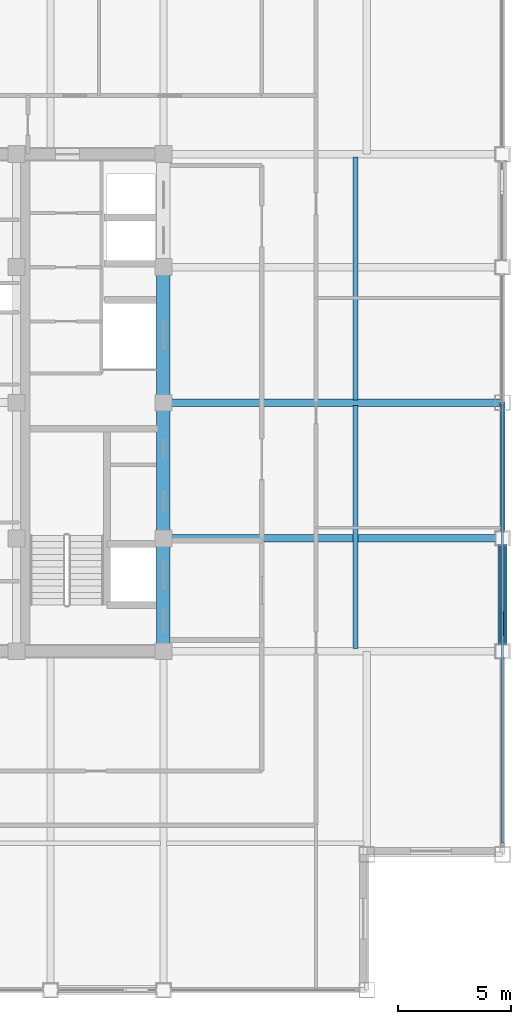
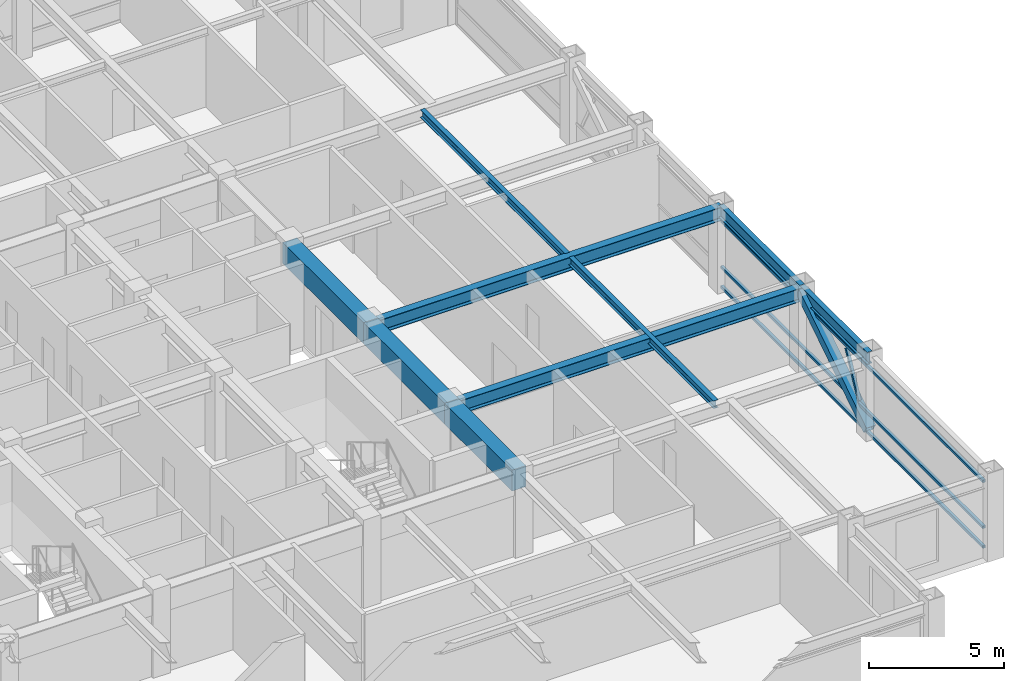
# One storey, part 11 of 29: 9 beams, 5 members, 1 element without a shape of its own.
"""IFC4 building model written with IfcOpenShell, lengths in metres."""

from ifc_helpers import new_model, si_unit, direction, frame, origin, origin_2d, place, context, subcontext, project, spatial, rectangle, hollow_rectangle, i_section, extrude, source, transform, mapped, material, material_profile, profile_set, type_object, element, aggregate, save


model = new_model("IFC4")

# Units and contexts
model_context = context("Model", 3, precision=1e-05, world=origin(), true_north=direction((0.0, 1.0)))
body_context = subcontext(model_context, "Body", "Model", "MODEL_VIEW")
ifc_project = project(units=[si_unit("LENGTHUNIT", "METRE"), si_unit("AREAUNIT", "SQUARE_METRE"), si_unit("VOLUMEUNIT", "CUBIC_METRE"), si_unit("PLANEANGLEUNIT", "RADIAN"), si_unit("MASSUNIT", "GRAM", prefix="KILO")], contexts=[model_context])

# Site, building, storey
site_placement = place(None, origin())
site = spatial("IfcSite", under=ifc_project, at=site_placement, CompositionType="ELEMENT")
building_placement = place(site_placement, origin())
building = spatial("IfcBuilding", under=site, at=building_placement, Name="Khorayat Bourse Tower", CompositionType="ELEMENT")
storey_placement = place(building_placement, frame((0.0, 0.0, 362.300048828125)))
storey = spatial("IfcBuildingStorey", under=building, at=storey_placement, Name="L86", CompositionType="ELEMENT", Elevation=362.300048828125)

# Beams
ifc_material_1 = material(Name="Concrete C60/75", Category="concrete")
ifc_material_profile_1 = material_profile(ifc_material_1, rectangle(XDim=0.60009765625, YDim=0.949951171875, at=origin_2d()), Name="RC 600x950")
ifc_profile_set_1 = profile_set([ifc_material_profile_1], Name="Concrete C60/75")
beam_type_1 = type_object("IfcBeamType", Name="BM-COUP-950", PredefinedType="BEAM", material=ifc_profile_set_1)
shared_shape_1 = source(origin(), body_context, "Body", "SweptSolid", [
    extrude(rectangle(XDim=0.60009765625, YDim=0.949951171875, at=origin_2d()), origin(), (0.0, 0.0, 1.0), 5.0),
])
beam_1_placement = place(storey_placement, frame((11.0, -11.0, 3.264892578125), z_axis=(0.0, 1.0, 0.0), x_axis=(-1.0, 0.0, 0.0)))
element("IfcBeam", 1, at=beam_1_placement, inside=storey, type_object=beam_type_1, Name="L86 BM-COUP-950 BM-L86-CRX-13", PredefinedType="BEAM", context=body_context, shape_type="MappedRepresentation", body=[
    mapped(shared_shape_1, transform((0.0, 0.0, 0.0), scale=1.0)),
])
shared_shape_2 = source(origin(), body_context, "Body", "SweptSolid", [
    extrude(rectangle(XDim=0.60009765625, YDim=0.949951171875, at=origin_2d()), origin(), (0.0, 0.0, 1.0), 6.0),
])
for number, where, z_axis, x_axis, name in (
    (2, (11.0, -6.0, 3.264892578125), (0.0, 1.0, 0.0), (-1.0, 0.0, 0.0), "L86 BM-COUP-950 BM-L86-CRX-14"),
    (3, (11.0, 0.0, 3.264892578125), (0.0, 1.0, 0.0), (-1.0, 0.0, 0.0), "L86 BM-COUP-950 BM-L86-CRX-15"),
):
    element("IfcBeam", number, at=place(storey_placement, frame(where, z_axis=z_axis, x_axis=x_axis)), inside=storey, type_object=beam_type_1, Name=name, PredefinedType="BEAM", context=body_context, shape_type="MappedRepresentation", body=[
        mapped(shared_shape_2, transform((0.0, 0.0, 0.0), scale=1.0)),
    ])
ifc_material_2 = material(Name="Steel ASTM A992 Grade 50", Category="steel")
ifc_material_profile_2 = material_profile(ifc_material_2, i_section(OverallWidth=0.202880859375, OverallDepth=0.346923828125, WebThickness=0.0078125, FlangeThickness=0.013427734375, FilletRadius=0.010009765625, at=origin_2d()), Name="W360X64")
ifc_profile_set_2 = profile_set([ifc_material_profile_2], Name="Steel ASTM A992 Grade 50")
beam_type_2 = type_object("IfcBeamType", Name="BM-JOIST-360", PredefinedType="JOIST", material=ifc_profile_set_2)
shared_shape_3 = source(origin(), body_context, "Body", "SweptSolid", [
    extrude(i_section(OverallWidth=0.202880859375, OverallDepth=0.346923828125, WebThickness=0.0078125, FlangeThickness=0.013427734375, FilletRadius=0.010009765625, at=origin_2d()), origin(), (0.0, 0.0, 1.0), 10.740234375),
])
for number, where, z_axis, x_axis, name in (
    (4, (19.5, -10.8701171875, 3.56640625), (0.0, 1.0, 0.0), (-1.0, 0.0, 0.0), "L86 BM-JOIST-360 BM-L86-JSTY-088"),
    (5, (19.5, 0.1298828125, 3.56640625), (0.0, 1.0, 0.0), (-1.0, 0.0, 0.0), "L86 BM-JOIST-360 BM-L86-JSTY-089"),
):
    element("IfcBeam", number, at=place(storey_placement, frame(where, z_axis=z_axis, x_axis=x_axis)), inside=storey, type_object=beam_type_2, Name=name, PredefinedType="JOIST", context=body_context, shape_type="MappedRepresentation", body=[
        mapped(shared_shape_3, transform((0.0, 0.0, 0.0), scale=1.0)),
    ])
ifc_material_profile_3 = material_profile(ifc_material_2, i_section(OverallWidth=0.214111328125, OverallDepth=0.549072265625, WebThickness=0.0146484375, FlangeThickness=0.023681640625, FilletRadius=0.013916015625, at=origin_2d()), Name="W530X138")
ifc_profile_set_3 = profile_set([ifc_material_profile_3], Name="Steel ASTM A992 Grade 50")
beam_type_3 = type_object("IfcBeamType", Name="BM-SPAN-530", PredefinedType="SPANDREL", material=ifc_profile_set_3)
shared_shape_4 = source(origin(), body_context, "Body", "SweptSolid", [
    extrude(i_section(OverallWidth=0.214111328125, OverallDepth=0.549072265625, WebThickness=0.0146484375, FlangeThickness=0.023681640625, FilletRadius=0.013916015625, at=origin_2d()), origin(), (0.0, 0.0, 1.0), 5.0),
])
beam_2_placement = place(storey_placement, frame((26.0, -11.0, 3.46533203125), z_axis=(0.0, 1.0, 0.0), x_axis=(-1.0, 0.0, 0.0)))
element("IfcBeam", 6, at=beam_2_placement, inside=storey, type_object=beam_type_3, Name="L86 BM-SPAN-530 BM-L86-SPN-033", PredefinedType="SPANDREL", context=body_context, shape_type="MappedRepresentation", body=[
    mapped(shared_shape_4, transform((0.0, 0.0, 0.0), scale=1.0)),
])
shared_shape_5 = source(origin(), body_context, "Body", "SweptSolid", [
    extrude(i_section(OverallWidth=0.214111328125, OverallDepth=0.549072265625, WebThickness=0.0146484375, FlangeThickness=0.023681640625, FilletRadius=0.013916015625, at=origin_2d()), origin(), (0.0, 0.0, 1.0), 6.0),
])
beam_3_placement = place(storey_placement, frame((26.0, -6.0, 3.46533203125), z_axis=(0.0, 1.0, 0.0), x_axis=(-1.0, 0.0, 0.0)))
element("IfcBeam", 7, at=beam_3_placement, inside=storey, type_object=beam_type_3, Name="L86 BM-SPAN-530 BM-L86-SPN-034", PredefinedType="SPANDREL", context=body_context, shape_type="MappedRepresentation", body=[
    mapped(shared_shape_5, transform((0.0, 0.0, 0.0), scale=1.0)),
])
ifc_material_profile_4 = material_profile(ifc_material_2, i_section(OverallWidth=0.324951171875, OverallDepth=0.615966796875, WebThickness=0.013916015625, FlangeThickness=0.021484375, FilletRadius=0.01611328125, at=origin_2d()), Name="W610X174")
ifc_profile_set_4 = profile_set([ifc_material_profile_4], Name="Steel ASTM A992 Grade 50")
beam_type_4 = type_object("IfcBeamType", Name="BM-GIRD-610", PredefinedType="BEAM", material=ifc_profile_set_4)
shared_shape_6 = source(origin(), body_context, "Body", "SweptSolid", [
    extrude(i_section(OverallWidth=0.324951171875, OverallDepth=0.615966796875, WebThickness=0.013916015625, FlangeThickness=0.021484375, FilletRadius=0.01611328125, at=origin_2d()), origin(), (0.0, 0.0, 1.0), 15.0),
])
for number, where, z_axis, x_axis, name in (
    (8, (11.0, -6.0, 3.431884765625), (1.0, 0.0, 0.0), (0.0, 1.0, 0.0), "L86 BM-GIRD-610 BM-L86-RADX-068"),
    (9, (11.0, 0.0, 3.431884765625), (1.0, 0.0, 0.0), (0.0, 1.0, 0.0), "L86 BM-GIRD-610 BM-L86-RADX-070"),
):
    element("IfcBeam", number, at=place(storey_placement, frame(where, z_axis=z_axis, x_axis=x_axis)), inside=storey, type_object=beam_type_4, Name=name, PredefinedType="BEAM", context=body_context, shape_type="MappedRepresentation", body=[
        mapped(shared_shape_6, transform((0.0, 0.0, 0.0), scale=1.0)),
    ])

# Member
ifc_material_3 = material(Name="Steel EN 10025-4 S460M", Category="steel")
ifc_material_profile_5 = material_profile(ifc_material_3, hollow_rectangle(XDim=0.39990234375, YDim=0.39990234375, WallThickness=0.02197265625, at=origin_2d()), Name="HSS 400x400x22")
ifc_profile_set_5 = profile_set([ifc_material_profile_5], Name="Steel EN 10025-4 S460M")
member_type_1 = type_object("IfcMemberType", Name="MBR-TUBE-400", PredefinedType="BRACE", material=ifc_profile_set_5)
shared_shape_7 = source(origin(), body_context, "Body", "SweptSolid", [
    extrude(hollow_rectangle(XDim=0.39990234375, YDim=0.39990234375, WallThickness=0.02197265625, at=origin_2d()), origin(), (0.0, 0.0, 1.0), 5.9580078125),
])
member_1_placement = place(storey_placement, frame((26.0, -11.0, 0.25), z_axis=(0.0, 0.839210474455, 0.543806748364), x_axis=(-1.0, 0.0, 0.0)))
element("IfcMember", 10, at=member_1_placement, inside=storey, type_object=member_type_1, Name="L86 Perimeter Tube Brace 07", PredefinedType="BRACE", context=body_context, shape_type="MappedRepresentation", body=[
    mapped(shared_shape_7, transform((0.0, 0.0, 0.0), scale=1.0)),
])

# Curtain wall, members
ifc_material_4 = material(Name="Aluminium EN AW-6063 T6", Category="aluminium")
curtain_wall_type = type_object("IfcCurtainWallType", Name="CW-SYS-04", PredefinedType="NOTDEFINED", material=ifc_material_4)
curtain_wall_placement = place(storey_placement, origin())
curtain_wall = element("IfcCurtainWall", 11, at=curtain_wall_placement, inside=storey, type_object=curtain_wall_type, Name="L86 Curtain Wall CW-L86-E1", PredefinedType="NOTDEFINED")
ifc_material_profile_6 = material_profile(ifc_material_4, hollow_rectangle(XDim=0.1201171875, YDim=0.1201171875, WallThickness=0.0048828125, at=origin_2d()), Name="ALU 120x120x5")
ifc_profile_set_6 = profile_set([ifc_material_profile_6], Name="Aluminium EN AW-6063 T6")
member_type_2 = type_object("IfcMemberType", Name="CWM-DIAG-120", PredefinedType="MULLION", material=ifc_profile_set_6)
shared_shape_8 = source(origin(), body_context, "Body", "SweptSolid", [
    extrude(hollow_rectangle(XDim=0.1201171875, YDim=0.1201171875, WallThickness=0.0048828125, at=origin_2d()), origin(), (0.0, 0.0, 1.0), 2.0341796875),
])
member_2_placement = place(storey_placement, frame((26.0, -10.24365234375, 1.08984375), z_axis=(0.0, 0.465696964104, 0.884944256789), x_axis=(-1.0, 0.0, 0.0)))
member_2 = element("IfcMember", 12, at=member_2_placement, type_object=member_type_2, Name="CW-L86-E1 Faceted Diagonal Mullion 1", PredefinedType="MULLION", context=body_context, shape_type="MappedRepresentation", body=[
    mapped(shared_shape_8, transform((0.0, 0.0, 0.0), scale=1.0)),
])
ifc_material_profile_7 = material_profile(ifc_material_4, hollow_rectangle(XDim=0.1201171875, YDim=0.1201171875, WallThickness=0.0048828125, at=origin_2d()), Name="ALU 120x120x5")
ifc_profile_set_7 = profile_set([ifc_material_profile_7], Name="Aluminium EN AW-6063 T6")
member_type_3 = type_object("IfcMemberType", Name="CWT-HORZ-120", PredefinedType="USERDEFINED", material=ifc_profile_set_7)
shared_shape_9 = source(origin(), body_context, "Body", "SweptSolid", [
    extrude(hollow_rectangle(XDim=0.1201171875, YDim=0.1201171875, WallThickness=0.0048828125, at=origin_2d()), origin(), (0.0, 0.0, 1.0), 19.419921875),
])
member_3_placement = place(storey_placement, frame((26.0, -19.47998046875, 0.06005859375), z_axis=(0.0, 1.0, 0.0), x_axis=(-1.0, 0.0, 0.0)))
member_3 = element("IfcMember", 13, at=member_3_placement, type_object=member_type_3, Name="CW-L86-E1 Horizontal Transom 1-1", ObjectType="TRANSOM", PredefinedType="USERDEFINED", context=body_context, shape_type="MappedRepresentation", body=[
    mapped(shared_shape_9, transform((0.0, 0.0, 0.0), scale=1.0)),
])
member_4_placement = place(storey_placement, frame((26.0, -19.47998046875, 0.949951171875), z_axis=(0.0, 1.0, 0.0), x_axis=(-1.0, 0.0, 0.0)))
member_4 = element("IfcMember", 14, at=member_4_placement, type_object=member_type_3, Name="CW-L86-E1 Horizontal Transom 1-2", ObjectType="TRANSOM", PredefinedType="USERDEFINED", context=body_context, shape_type="MappedRepresentation", body=[
    mapped(shared_shape_9, transform((0.0, 0.0, 0.0), scale=1.0)),
])
member_5_placement = place(storey_placement, frame((26.0, -19.47998046875, 3.030029296875), z_axis=(0.0, 1.0, 0.0), x_axis=(-1.0, 0.0, 0.0)))
member_5 = element("IfcMember", 15, at=member_5_placement, type_object=member_type_3, Name="CW-L86-E1 Horizontal Transom 1-3", ObjectType="TRANSOM", PredefinedType="USERDEFINED", context=body_context, shape_type="MappedRepresentation", body=[
    mapped(shared_shape_9, transform((0.0, 0.0, 0.0), scale=1.0)),
])
aggregate(curtain_wall, [member_3, member_4, member_5, member_2])

save(model, "model.ifc")
